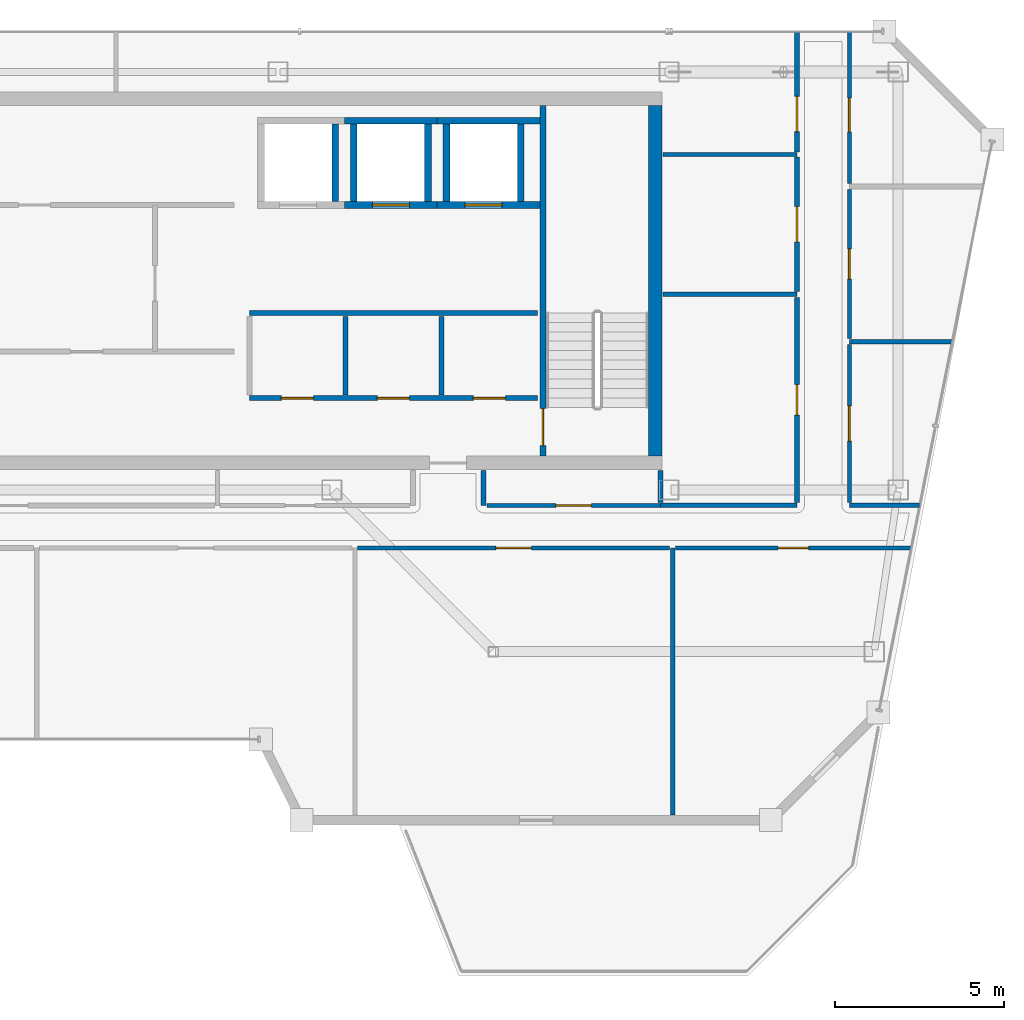
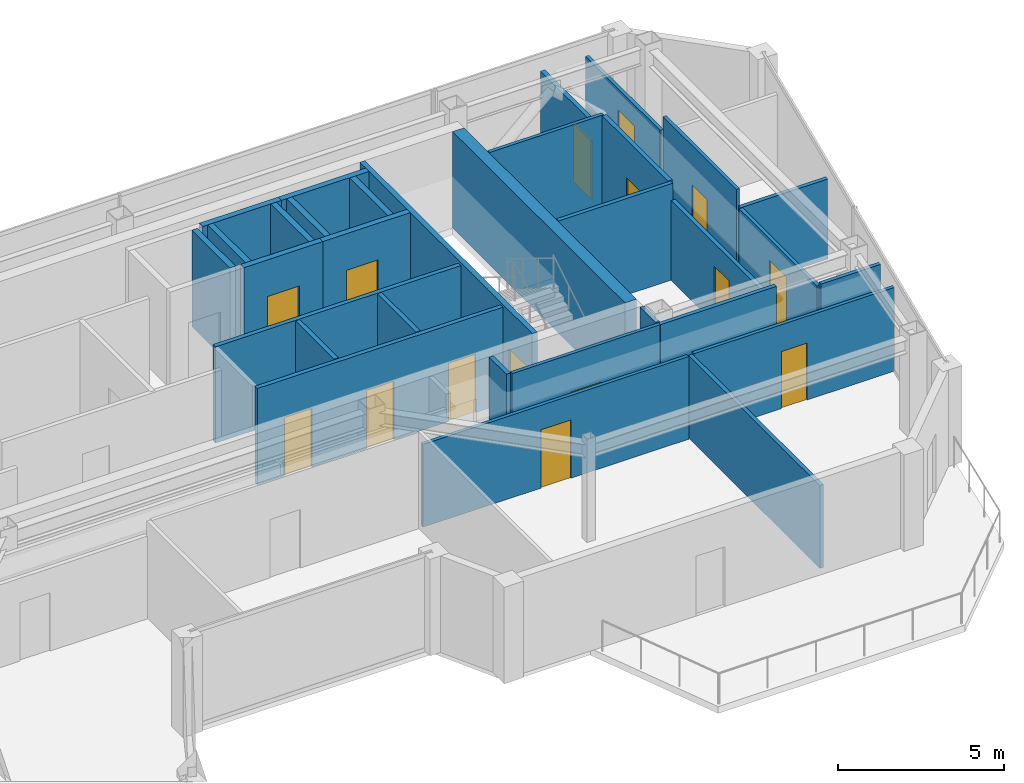
# One storey, part 16 of 20: 32 walls, 15 doors, 15 openings.
"""IFC4 building model written with IfcOpenShell, lengths in metres."""

from ifc_helpers import new_model, si_unit, direction, frame, frame_2d, origin, place, context, subcontext, project, spatial, rectangle, extrude, material, layer, layer_set, type_object, element, fill, save


model = new_model("IFC4")

# Units and contexts
model_context = context("Model", 3, precision=1e-05, world=origin(), true_north=direction((0.0, 1.0)))
body_context = subcontext(model_context, "Body", "Model", "MODEL_VIEW")
ifc_project = project(units=[si_unit("LENGTHUNIT", "METRE"), si_unit("AREAUNIT", "SQUARE_METRE"), si_unit("VOLUMEUNIT", "CUBIC_METRE"), si_unit("PLANEANGLEUNIT", "RADIAN"), si_unit("MASSUNIT", "GRAM", prefix="KILO")], contexts=[model_context])

# Site, building, storey
site_placement = place(None, origin())
site = spatial("IfcSite", under=ifc_project, at=site_placement, CompositionType="ELEMENT")
building_placement = place(site_placement, origin())
building = spatial("IfcBuilding", under=site, at=building_placement, Name="Saevonmaru Cultural Tower", CompositionType="ELEMENT")
storey_placement = place(building_placement, frame((0.0, 0.0, 295.199951171875)))
storey = spatial("IfcBuildingStorey", under=building, at=storey_placement, Name="L70", CompositionType="ELEMENT", Elevation=295.199951171875)

# Wall
ifc_material_1 = material(Name="Concrete C50/60", Category="concrete")
ifc_layer_1 = layer(ifc_material_1, 0.39990234375, Name="Concrete C50/60")
ifc_layer_set_1 = layer_set([ifc_layer_1], Name="Concrete C50/60")
wall_type_1 = type_object("IfcWallType", Name="WL-CORE-400", PredefinedType="SHEAR", material=ifc_layer_set_1)
wall_1_placement = place(storey_placement, frame((46.0, 43.39990234375, 0.0), z_axis=(0.0, 0.0, 1.0), x_axis=(0.0, 1.0, 0.0)))
element("IfcWall", 1, at=wall_1_placement, inside=storey, type_object=wall_type_1, Name="L70 Tower RC core shear wall E", PredefinedType="SHEAR", context=body_context, shape_type="SweptSolid", body=[
    extrude(rectangle(XDim=10.400146484375, YDim=0.39990234375, at=frame_2d((5.2001953125, 0.0))), origin(), (0.0, 0.0, 1.0), 3.550048828125),
])

# Wall, openings, doors
ifc_material_2 = material(Name="Gypsum Fireboard Partition", Category="gypsum")
ifc_layer_2 = layer(ifc_material_2, 0.14990234375, Name="Gypsum Fireboard Partition")
ifc_layer_set_2 = layer_set([ifc_layer_2], Name="Gypsum Fireboard Partition")
wall_type_2 = type_object("IfcWallType", Name="WL-CORE-PART-150", PredefinedType="PARTITIONING", material=ifc_layer_set_2)
wall_2_placement = place(storey_placement, frame((33.949951171875, 45.1201171875, 0.0), z_axis=(0.0, 0.0, 1.0), x_axis=(1.0, 0.0, 0.0)))
wall_2 = element("IfcWall", 2, at=wall_2_placement, inside=storey, type_object=wall_type_2, Name="L70 Core Utility South Wall", PredefinedType="PARTITIONING", context=body_context, shape_type="SweptSolid", body=[
    extrude(rectangle(XDim=8.550048828125, YDim=0.14990234375, at=frame_2d((4.27490234375, 0.0))), origin(), (0.0, 0.0, 1.0), 3.550048828125),
])
opening_1_placement = place(wall_2_placement, frame((0.949951171875, 0.0, 0.0)))
opening_1 = element("IfcOpeningElement", 3, at=opening_1_placement, cuts=wall_2, Name="Opening FD-4", PredefinedType="OPENING", context=body_context, shape_type="SweptSolid", body=[
    extrude(rectangle(XDim=0.949951171875, YDim=2.14990234375, at=frame_2d((0.47509765625, 1.074951171875))), frame((0.0, 0.0849609375, 0.0), z_axis=(0.0, -1.0, 0.0), x_axis=(1.0, 0.0, 0.0)), (0.0, 0.0, 1.0), 0.169921875),
])
opening_2_placement = place(wall_2_placement, frame((3.800048828125, 0.0, 0.0)))
opening_2 = element("IfcOpeningElement", 4, at=opening_2_placement, cuts=wall_2, Name="Opening FD-4", PredefinedType="OPENING", context=body_context, shape_type="SweptSolid", body=[
    extrude(rectangle(XDim=0.949951171875, YDim=2.14990234375, at=frame_2d((0.47509765625, 1.074951171875))), frame((0.0, 0.0849609375, 0.0), z_axis=(0.0, -1.0, 0.0), x_axis=(1.0, 0.0, 0.0)), (0.0, 0.0, 1.0), 0.169921875),
])
opening_3_placement = place(wall_2_placement, frame((6.64990234375, 0.0, 0.0)))
opening_3 = element("IfcOpeningElement", 5, at=opening_3_placement, cuts=wall_2, Name="Opening FD-4", PredefinedType="OPENING", context=body_context, shape_type="SweptSolid", body=[
    extrude(rectangle(XDim=0.949951171875, YDim=2.14990234375, at=frame_2d((0.47509765625, 1.074951171875))), frame((0.0, 0.0849609375, 0.0), z_axis=(0.0, -1.0, 0.0), x_axis=(1.0, 0.0, 0.0)), (0.0, 0.0, 1.0), 0.169921875),
])
ifc_material_3 = material(Name="Satin Bronze Anodised Aluminium", Category="aluminium")
door_type_1 = type_object("IfcDoorType", Name="DR-FD60-950", OperationType="SINGLE_SWING_LEFT", PredefinedType="DOOR", material=ifc_material_3)
door_1_placement = place(opening_1_placement, origin())
door_1 = element("IfcDoor", 6, at=door_1_placement, inside=storey, type_object=door_type_1, Name="L70 Meter Plant Door", OperationType="SINGLE_SWING_LEFT", OverallHeight=2.14990234375, OverallWidth=0.949951171875, PredefinedType="DOOR", context=body_context, shape_type="SweptSolid", body=[
    extrude(rectangle(XDim=0.949951171875, YDim=2.14990234375, at=frame_2d((0.47509765625, 1.074951171875))), frame((0.0, 0.02490234375, 0.0), z_axis=(0.0, -1.0, 0.0), x_axis=(1.0, 0.0, 0.0)), (0.0, 0.0, 1.0), 0.050048828125),
])
fill(opening_1, door_1)
door_2_placement = place(opening_2_placement, origin())
door_2 = element("IfcDoor", 7, at=door_2_placement, inside=storey, type_object=door_type_1, Name="L70 AV Rack Plant Door", OperationType="SINGLE_SWING_LEFT", OverallHeight=2.14990234375, OverallWidth=0.949951171875, PredefinedType="DOOR", context=body_context, shape_type="SweptSolid", body=[
    extrude(rectangle(XDim=0.949951171875, YDim=2.14990234375, at=frame_2d((0.47509765625, 1.074951171875))), frame((0.0, 0.02490234375, 0.0), z_axis=(0.0, -1.0, 0.0), x_axis=(1.0, 0.0, 0.0)), (0.0, 0.0, 1.0), 0.050048828125),
])
fill(opening_2, door_2)
door_3_placement = place(opening_3_placement, origin())
door_3 = element("IfcDoor", 8, at=door_3_placement, inside=storey, type_object=door_type_1, Name="L70 Archive Supply Storage Door", OperationType="SINGLE_SWING_LEFT", OverallHeight=2.14990234375, OverallWidth=0.949951171875, PredefinedType="DOOR", context=body_context, shape_type="SweptSolid", body=[
    extrude(rectangle(XDim=0.949951171875, YDim=2.14990234375, at=frame_2d((0.47509765625, 1.074951171875))), frame((0.0, 0.02490234375, 0.0), z_axis=(0.0, -1.0, 0.0), x_axis=(1.0, 0.0, 0.0)), (0.0, 0.0, 1.0), 0.050048828125),
])
fill(opening_3, door_3)

# Walls
wall_3_placement = place(storey_placement, frame((33.949951171875, 47.64990234375, 0.0), z_axis=(0.0, 0.0, 1.0), x_axis=(1.0, 0.0, 0.0)))
element("IfcWall", 9, at=wall_3_placement, inside=storey, type_object=wall_type_2, Name="L70 Core Utility North Wall", PredefinedType="PARTITIONING", context=body_context, shape_type="SweptSolid", body=[
    extrude(rectangle(XDim=8.550048828125, YDim=0.14990234375, at=frame_2d((4.27490234375, 0.0))), origin(), (0.0, 0.0, 1.0), 3.550048828125),
])
for number, where, z_axis, x_axis, name in (
    (10, (36.800048828125, 45.219970703125, 0.0), (0.0, 0.0, 1.0), (0.0, 1.0, 0.0), "L70 Utility Divider 1"),
    (11, (39.64990234375, 45.219970703125, 0.0), (0.0, 0.0, 1.0), (0.0, 1.0, 0.0), "L70 Utility Divider 2"),
):
    element("IfcWall", number, at=place(storey_placement, frame(where, z_axis=z_axis, x_axis=x_axis)), inside=storey, type_object=wall_type_2, Name=name, PredefinedType="PARTITIONING", context=body_context, shape_type="SweptSolid", body=[
        extrude(rectangle(XDim=2.330078125, YDim=0.14990234375, at=frame_2d((1.1650390625, 0.0))), origin(), (0.0, 0.0, 1.0), 3.550048828125),
    ])

# Wall, opening, door
ifc_layer_3 = layer(ifc_material_2, 0.14990234375, Name="Gypsum Fireboard Partition")
ifc_layer_set_3 = layer_set([ifc_layer_3], Name="Gypsum Fireboard Partition")
wall_type_3 = type_object("IfcWallType", Name="WL-PART-FIRE-150", PredefinedType="PARTITIONING", material=ifc_layer_set_3)
wall_4_placement = place(storey_placement, frame((50.199951171875, 48.2900390625, 0.0), z_axis=(0.0, 0.0, 1.0), x_axis=(0.0, 1.0, 0.0)))
wall_4 = element("IfcWall", 12, at=wall_4_placement, inside=storey, type_object=wall_type_3, Name="L70 Sky Observatory Gallery Corridor Wall", PredefinedType="PARTITIONING", context=body_context, shape_type="SweptSolid", body=[
    extrude(rectangle(XDim=3.97998046875, YDim=0.14990234375, at=frame_2d((1.989990234375, 0.0))), origin(), (0.0, 0.0, 1.0), 3.550048828125),
])
opening_4_placement = place(wall_4_placement, frame((1.465087890625, 0.0, 0.0)))
opening_4 = element("IfcOpeningElement", 13, at=opening_4_placement, cuts=wall_4, Name="Opening ID-1", PredefinedType="OPENING", context=body_context, shape_type="SweptSolid", body=[
    extrude(rectangle(XDim=1.050048828125, YDim=2.14990234375, at=frame_2d((0.52490234375, 1.074951171875))), frame((0.0, 0.0849609375, 0.0), z_axis=(0.0, -1.0, 0.0), x_axis=(1.0, 0.0, 0.0)), (0.0, 0.0, 1.0), 0.169921875),
])
door_type_2 = type_object("IfcDoorType", Name="DR-INT-1050", OperationType="SINGLE_SWING_LEFT", PredefinedType="DOOR", material=ifc_material_3)
door_4_placement = place(opening_4_placement, origin())
door_4 = element("IfcDoor", 14, at=door_4_placement, inside=storey, type_object=door_type_2, Name="L70 Sky Observatory Gallery Door", OperationType="SINGLE_SWING_LEFT", OverallHeight=2.14990234375, OverallWidth=1.050048828125, PredefinedType="DOOR", context=body_context, shape_type="SweptSolid", body=[
    extrude(rectangle(XDim=1.050048828125, YDim=2.14990234375, at=frame_2d((0.52490234375, 1.074951171875))), frame((0.0, 0.02490234375, 0.0), z_axis=(0.0, -1.0, 0.0), x_axis=(1.0, 0.0, 0.0)), (0.0, 0.0, 1.0), 0.050048828125),
])
fill(opening_4, door_4)

wall_5_placement = place(storey_placement, frame((50.199951171875, 52.429931640625, 0.0), z_axis=(0.0, 0.0, 1.0), x_axis=(0.0, 1.0, 0.0)))
wall_5 = element("IfcWall", 15, at=wall_5_placement, inside=storey, type_object=wall_type_3, Name="L70 Skyline Exhibition Gallery Corridor Wall", PredefinedType="PARTITIONING", context=body_context, shape_type="SweptSolid", body=[
    extrude(rectangle(XDim=3.565185546875, YDim=0.14990234375, at=frame_2d((1.78271484375, 0.0))), origin(), (0.0, 0.0, 1.0), 2.93505859375),
])
opening_5_placement = place(wall_5_placement, frame((0.596923828125, 0.0, 0.0)))
opening_5 = element("IfcOpeningElement", 16, at=opening_5_placement, cuts=wall_5, Name="Opening ID-1", PredefinedType="OPENING", context=body_context, shape_type="SweptSolid", body=[
    extrude(rectangle(XDim=1.050048828125, YDim=2.14990234375, at=frame_2d((0.52490234375, 1.074951171875))), frame((0.0, 0.0849609375, 0.0), z_axis=(0.0, -1.0, 0.0), x_axis=(1.0, 0.0, 0.0)), (0.0, 0.0, 1.0), 0.169921875),
])
door_5_placement = place(opening_5_placement, origin())
door_5 = element("IfcDoor", 17, at=door_5_placement, inside=storey, type_object=door_type_2, Name="L70 Skyline Exhibition Gallery Door", OperationType="SINGLE_SWING_RIGHT", OverallHeight=2.14990234375, OverallWidth=1.050048828125, PredefinedType="DOOR", context=body_context, shape_type="SweptSolid", body=[
    extrude(rectangle(XDim=1.050048828125, YDim=2.14990234375, at=frame_2d((0.52490234375, 1.074951171875))), frame((0.0, 0.02490234375, 0.0), z_axis=(0.0, -1.0, 0.0), x_axis=(1.0, 0.0, 0.0)), (0.0, 0.0, 1.0), 0.050048828125),
])
fill(opening_5, door_5)

# Walls
wall_6_placement = place(storey_placement, frame((40.89990234375, 41.93994140625, 0.0), z_axis=(0.0, 0.0, 1.0), x_axis=(0.0, 1.0, 0.0)))
element("IfcWall", 18, at=wall_6_placement, inside=storey, type_object=wall_type_3, Name="L70 Core Portal Side Wall E2", PredefinedType="PARTITIONING", context=body_context, shape_type="SweptSolid", body=[
    extrude(rectangle(XDim=1.0400390625, YDim=0.14990234375, at=frame_2d((0.52001953125, 0.0))), origin(), (0.0, 0.0, 1.0), 3.550048828125),
])
ifc_layer_4 = layer(ifc_material_2, 0.1201171875, Name="Gypsum Fireboard Partition")
ifc_layer_set_4 = layer_set([ifc_layer_4], Name="Gypsum Fireboard Partition")
wall_type_4 = type_object("IfcWallType", Name="WL-PART-GYP-120", PredefinedType="PARTITIONING", material=ifc_layer_set_4)
wall_7_placement = place(storey_placement, frame((46.219970703125, 52.35009765625, 0.0), z_axis=(0.0, 0.0, 1.0), x_axis=(1.0, 0.0, 0.0)))
element("IfcWall", 19, at=wall_7_placement, inside=storey, type_object=wall_type_4, Name="L70 North-East Panorama South Wall", PredefinedType="PARTITIONING", context=body_context, shape_type="SweptSolid", body=[
    extrude(rectangle(XDim=3.97998046875, YDim=0.1201171875, at=frame_2d((1.989990234375, 0.0))), origin(), (0.0, 0.0, 1.0), 3.550048828125),
])

# Wall, opening, door
wall_8_placement = place(storey_placement, frame((51.75, 42.027587890625, 0.0), z_axis=(0.0, 0.0, 1.0), x_axis=(0.0, 1.0, 0.0)))
wall_8 = element("IfcWall", 20, at=wall_8_placement, inside=storey, type_object=wall_type_4, Name="L70 Periodical Reading Room Corridor Wall", PredefinedType="PARTITIONING", context=body_context, shape_type="SweptSolid", body=[
    extrude(rectangle(XDim=4.684814453125, YDim=0.1201171875, at=frame_2d((2.34228515625, 0.0))), origin(), (0.0, 0.0, 1.0), 2.947021484375),
])
opening_6_placement = place(wall_8_placement, frame((1.81689453125, 0.0, 0.0)))
opening_6 = element("IfcOpeningElement", 21, at=opening_6_placement, cuts=wall_8, Name="Opening ID-1", PredefinedType="OPENING", context=body_context, shape_type="SweptSolid", body=[
    extrude(rectangle(XDim=1.050048828125, YDim=2.14990234375, at=frame_2d((0.52490234375, 1.074951171875))), frame((0.0, 0.070068359375, 0.0), z_axis=(0.0, -1.0, 0.0), x_axis=(1.0, 0.0, 0.0)), (0.0, 0.0, 1.0), 0.14013671875),
])
door_6_placement = place(opening_6_placement, origin())
door_6 = element("IfcDoor", 22, at=door_6_placement, inside=storey, type_object=door_type_2, Name="L70 Periodical Reading Room Door", OperationType="SINGLE_SWING_LEFT", OverallHeight=2.14990234375, OverallWidth=1.050048828125, PredefinedType="DOOR", context=body_context, shape_type="SweptSolid", body=[
    extrude(rectangle(XDim=1.050048828125, YDim=2.14990234375, at=frame_2d((0.52490234375, 1.074951171875))), frame((0.0, 0.02490234375, 0.0), z_axis=(0.0, -1.0, 0.0), x_axis=(1.0, 0.0, 0.0)), (0.0, 0.0, 1.0), 0.050048828125),
])
fill(opening_6, door_6)

wall_9_placement = place(storey_placement, frame((51.75, 46.887451171875, 0.0), z_axis=(0.0, 0.0, 1.0), x_axis=(0.0, 1.0, 0.0)))
wall_9 = element("IfcWall", 23, at=wall_9_placement, inside=storey, type_object=wall_type_4, Name="L70 Editorial Fellows Office Corridor Wall", PredefinedType="PARTITIONING", context=body_context, shape_type="SweptSolid", body=[
    extrude(rectangle(XDim=4.425048828125, YDim=0.1201171875, at=frame_2d((2.21240234375, 0.0))), origin(), (0.0, 0.0, 1.0), 3.550048828125),
])
opening_7_placement = place(wall_9_placement, frame((1.761962890625, 0.0, 0.0)))
opening_7 = element("IfcOpeningElement", 24, at=opening_7_placement, cuts=wall_9, Name="Opening ID-2", PredefinedType="OPENING", context=body_context, shape_type="SweptSolid", body=[
    extrude(rectangle(XDim=0.89990234375, YDim=2.10009765625, at=frame_2d((0.449951171875, 1.050048828125))), frame((0.0, 0.070068359375, 0.0), z_axis=(0.0, -1.0, 0.0), x_axis=(1.0, 0.0, 0.0)), (0.0, 0.0, 1.0), 0.14013671875),
])
ifc_material_4 = material(Name="Acoustic Stained Oak Timber", Category="wood")
door_type_3 = type_object("IfcDoorType", Name="DR-INT-900", OperationType="SINGLE_SWING_RIGHT", PredefinedType="DOOR", material=ifc_material_4)
door_7_placement = place(opening_7_placement, origin())
door_7 = element("IfcDoor", 25, at=door_7_placement, inside=storey, type_object=door_type_3, Name="L70 Editorial Fellows Office Door", OperationType="SINGLE_SWING_RIGHT", OverallHeight=2.10009765625, OverallWidth=0.89990234375, PredefinedType="DOOR", context=body_context, shape_type="SweptSolid", body=[
    extrude(rectangle(XDim=0.89990234375, YDim=2.10009765625, at=frame_2d((0.449951171875, 1.050048828125))), frame((0.0, 0.02490234375, 0.0), z_axis=(0.0, -1.0, 0.0), x_axis=(1.0, 0.0, 0.0)), (0.0, 0.0, 1.0), 0.050048828125),
])
fill(opening_7, door_7)

wall_10_placement = place(storey_placement, frame((51.75, 51.487548828125, 0.0), z_axis=(0.0, 0.0, 1.0), x_axis=(0.0, 1.0, 0.0)))
wall_10 = element("IfcWall", 26, at=wall_10_placement, inside=storey, type_object=wall_type_4, Name="L70 Terrace Overlook Cafe Corridor Wall", PredefinedType="PARTITIONING", context=body_context, shape_type="SweptSolid", body=[
    extrude(rectangle(XDim=4.507568359375, YDim=0.1201171875, at=frame_2d((2.25390625, 0.0))), origin(), (0.0, 0.0, 1.0), 2.93505859375),
])
opening_8_placement = place(wall_10_placement, frame((1.533935546875, 0.0, 0.0)))
opening_8 = element("IfcOpeningElement", 27, at=opening_8_placement, cuts=wall_10, Name="Opening ID-1B", PredefinedType="OPENING", context=body_context, shape_type="SweptSolid", body=[
    extrude(rectangle(XDim=1.0, YDim=2.14990234375, at=frame_2d((0.5, 1.074951171875))), frame((0.0, 0.070068359375, 0.0), z_axis=(0.0, -1.0, 0.0), x_axis=(1.0, 0.0, 0.0)), (0.0, 0.0, 1.0), 0.14013671875),
])
door_type_4 = type_object("IfcDoorType", Name="DR-INT-1000", OperationType="SINGLE_SWING_RIGHT", PredefinedType="DOOR", material=ifc_material_4)
door_8_placement = place(opening_8_placement, origin())
door_8 = element("IfcDoor", 28, at=door_8_placement, inside=storey, type_object=door_type_4, Name="L70 Terrace Overlook Cafe Door", OperationType="SINGLE_SWING_LEFT", OverallHeight=2.14990234375, OverallWidth=1.0, PredefinedType="DOOR", context=body_context, shape_type="SweptSolid", body=[
    extrude(rectangle(XDim=1.0, YDim=2.14990234375, at=frame_2d((0.5, 1.074951171875))), frame((0.0, 0.02490234375, 0.0), z_axis=(0.0, -1.0, 0.0), x_axis=(1.0, 0.0, 0.0)), (0.0, 0.0, 1.0), 0.050048828125),
])
fill(opening_8, door_8)

wall_11_placement = place(storey_placement, frame((40.9951171875, 41.93994140625, 0.0), z_axis=(0.0, 0.0, 1.0), x_axis=(1.0, 0.0, 0.0)))
wall_11 = element("IfcWall", 29, at=wall_11_placement, inside=storey, type_object=wall_type_4, Name="L70 Rare Manuscript Reading Room Corridor Wall", PredefinedType="PARTITIONING", context=body_context, shape_type="SweptSolid", body=[
    extrude(rectangle(XDim=5.15478515625, YDim=0.1201171875, at=frame_2d((2.577392578125, 0.0))), origin(), (0.0, 0.0, 1.0), 3.550048828125),
])
opening_9_placement = place(wall_11_placement, frame((2.052978515625, 0.0, 0.0)))
opening_9 = element("IfcOpeningElement", 30, at=opening_9_placement, cuts=wall_11, Name="Opening ID-1", PredefinedType="OPENING", context=body_context, shape_type="SweptSolid", body=[
    extrude(rectangle(XDim=1.050048828125, YDim=2.14990234375, at=frame_2d((0.52490234375, 1.074951171875))), frame((0.0, 0.070068359375, 0.0), z_axis=(0.0, -1.0, 0.0), x_axis=(1.0, 0.0, 0.0)), (0.0, 0.0, 1.0), 0.14013671875),
])
door_9_placement = place(opening_9_placement, origin())
door_9 = element("IfcDoor", 31, at=door_9_placement, inside=storey, type_object=door_type_2, Name="L70 Rare Manuscript Reading Room Door", OperationType="SINGLE_SWING_LEFT", OverallHeight=2.14990234375, OverallWidth=1.050048828125, PredefinedType="DOOR", context=body_context, shape_type="SweptSolid", body=[
    extrude(rectangle(XDim=1.050048828125, YDim=2.14990234375, at=frame_2d((0.52490234375, 1.074951171875))), frame((0.0, 0.02490234375, 0.0), z_axis=(0.0, -1.0, 0.0), x_axis=(1.0, 0.0, 0.0)), (0.0, 0.0, 1.0), 0.050048828125),
])
fill(opening_9, door_9)

wall_12_placement = place(storey_placement, frame((37.159912109375, 40.679931640625, 0.0), z_axis=(0.0, 0.0, 1.0), x_axis=(1.0, 0.0, 0.0)))
wall_12 = element("IfcWall", 32, at=wall_12_placement, inside=storey, type_object=wall_type_4, Name="L70 Periodical Reading Room Corridor Wall", PredefinedType="PARTITIONING", context=body_context, shape_type="SweptSolid", body=[
    extrude(rectangle(XDim=9.2626953125, YDim=0.1201171875, at=frame_2d((4.63134765625, 0.0))), origin(), (0.0, 0.0, 1.0), 3.047119140625),
])
opening_10_placement = place(wall_12_placement, frame((4.10595703125, 0.0, 0.0)))
opening_10 = element("IfcOpeningElement", 33, at=opening_10_placement, cuts=wall_12, Name="Opening ID-1", PredefinedType="OPENING", context=body_context, shape_type="SweptSolid", body=[
    extrude(rectangle(XDim=1.050048828125, YDim=2.14990234375, at=frame_2d((0.52490234375, 1.074951171875))), frame((0.0, 0.070068359375, 0.0), z_axis=(0.0, -1.0, 0.0), x_axis=(1.0, 0.0, 0.0)), (0.0, 0.0, 1.0), 0.14013671875),
])
door_10_placement = place(opening_10_placement, origin())
door_10 = element("IfcDoor", 34, at=door_10_placement, inside=storey, type_object=door_type_2, Name="L70 Periodical Reading Room Door", OperationType="SINGLE_SWING_LEFT", OverallHeight=2.14990234375, OverallWidth=1.050048828125, PredefinedType="DOOR", context=body_context, shape_type="SweptSolid", body=[
    extrude(rectangle(XDim=1.050048828125, YDim=2.14990234375, at=frame_2d((0.52490234375, 1.074951171875))), frame((0.0, 0.02490234375, 0.0), z_axis=(0.0, -1.0, 0.0), x_axis=(1.0, 0.0, 0.0)), (0.0, 0.0, 1.0), 0.050048828125),
])
fill(opening_10, door_10)

wall_13_placement = place(storey_placement, frame((46.597412109375, 40.679931640625, 0.0), z_axis=(0.0, 0.0, 1.0), x_axis=(1.0, 0.0, 0.0)))
wall_13 = element("IfcWall", 35, at=wall_13_placement, inside=storey, type_object=wall_type_4, Name="L70 Editorial Fellows Office Corridor Wall", PredefinedType="PARTITIONING", context=body_context, shape_type="SweptSolid", body=[
    extrude(rectangle(XDim=6.98779296875, YDim=0.1201171875, at=frame_2d((3.493896484375, 0.0))), origin(), (0.0, 0.0, 1.0), 3.0849609375),
])
opening_11_placement = place(wall_13_placement, frame((3.0439453125, 0.0, 0.0)))
opening_11 = element("IfcOpeningElement", 36, at=opening_11_placement, cuts=wall_13, Name="Opening ID-2", PredefinedType="OPENING", context=body_context, shape_type="SweptSolid", body=[
    extrude(rectangle(XDim=0.89990234375, YDim=2.10009765625, at=frame_2d((0.449951171875, 1.050048828125))), frame((0.0, 0.070068359375, 0.0), z_axis=(0.0, -1.0, 0.0), x_axis=(1.0, 0.0, 0.0)), (0.0, 0.0, 1.0), 0.14013671875),
])
door_11_placement = place(opening_11_placement, origin())
door_11 = element("IfcDoor", 37, at=door_11_placement, inside=storey, type_object=door_type_3, Name="L70 Editorial Fellows Office Door", OperationType="SINGLE_SWING_RIGHT", OverallHeight=2.10009765625, OverallWidth=0.89990234375, PredefinedType="DOOR", context=body_context, shape_type="SweptSolid", body=[
    extrude(rectangle(XDim=0.89990234375, YDim=2.10009765625, at=frame_2d((0.449951171875, 1.050048828125))), frame((0.0, 0.02490234375, 0.0), z_axis=(0.0, -1.0, 0.0), x_axis=(1.0, 0.0, 0.0)), (0.0, 0.0, 1.0), 0.050048828125),
])
fill(opening_11, door_11)

# Walls
ifc_layer_5 = layer(ifc_material_2, 0.135009765625, Name="Gypsum Fireboard Partition")
ifc_layer_set_5 = layer_set([ifc_layer_5], Name="Gypsum Fireboard Partition")
wall_type_5 = type_object("IfcWallType", Name="WL-PART-GYP-135", PredefinedType="PARTITIONING", material=ifc_layer_set_5)
wall_14_placement = place(storey_placement, frame((51.75, 41.93994140625, 0.0), z_axis=(0.0, 0.0, 1.0), x_axis=(1.0, 0.0, 0.0)))
element("IfcWall", 38, at=wall_14_placement, inside=storey, type_object=wall_type_5, Name="L70 NE Wing South Wall", PredefinedType="PARTITIONING", context=body_context, shape_type="SweptSolid", body=[
    extrude(rectangle(XDim=2.085693359375, YDim=0.135009765625, at=frame_2d((1.04296875, 0.0))), origin(), (0.0, 0.0, 1.0), 3.0849609375),
])
wall_15_placement = place(storey_placement, frame((51.75, 46.800048828125, 0.0), z_axis=(0.0, 0.0, 1.0), x_axis=(1.0, 0.0, 0.0)))
element("IfcWall", 39, at=wall_15_placement, inside=storey, type_object=wall_type_5, Name="L70 NE Studio Divider 1", PredefinedType="PARTITIONING", context=body_context, shape_type="SweptSolid", body=[
    extrude(rectangle(XDim=3.052001953125, YDim=0.135009765625, at=frame_2d((1.52587890625, 0.0))), origin(), (0.0, 0.0, 1.0), 2.947021484375),
])
wall_16_placement = place(storey_placement, frame((46.510009765625, 32.760009765625, 0.0), z_axis=(0.0, 0.0, 1.0), x_axis=(0.0, 1.0, 0.0)))
element("IfcWall", 40, at=wall_16_placement, inside=storey, type_object=wall_type_5, Name="L70 Observatory Bay Divider 4", PredefinedType="PARTITIONING", context=body_context, shape_type="SweptSolid", body=[
    extrude(rectangle(XDim=7.919921875, YDim=0.135009765625, at=frame_2d((3.9599609375, 0.0))), origin(), (0.0, 0.0, 1.0), 3.047119140625),
])
ifc_layer_6 = layer(ifc_material_2, 0.139892578125, Name="Gypsum Fireboard Partition")
ifc_layer_set_6 = layer_set([ifc_layer_6], Name="Gypsum Fireboard Partition")
wall_type_6 = type_object("IfcWallType", Name="WL-PART-WET-140", PredefinedType="PARTITIONING", material=ifc_layer_set_6)
wall_17_placement = place(storey_placement, frame((46.14990234375, 41.93994140625, 0.0), z_axis=(0.0, 0.0, 1.0), x_axis=(1.0, 0.0, 0.0)))
element("IfcWall", 41, at=wall_17_placement, inside=storey, type_object=wall_type_6, Name="L70 Washroom South Wall", PredefinedType="PARTITIONING", context=body_context, shape_type="SweptSolid", body=[
    extrude(rectangle(XDim=4.050048828125, YDim=0.139892578125, at=frame_2d((2.02490234375, 0.0))), origin(), (0.0, 0.0, 1.0), 3.550048828125),
])
wall_18_placement = place(storey_placement, frame((46.14990234375, 42.030029296875, 0.0), z_axis=(0.0, 0.0, 1.0), x_axis=(0.0, 1.0, 0.0)))
element("IfcWall", 42, at=wall_18_placement, inside=storey, type_object=wall_type_6, Name="L70 Washroom South-West Return", PredefinedType="PARTITIONING", context=body_context, shape_type="SweptSolid", body=[
    extrude(rectangle(XDim=0.949951171875, YDim=0.139892578125, at=frame_2d((0.47509765625, 0.0))), origin(), (0.0, 0.0, 1.0), 3.550048828125),
])
wall_19_placement = place(storey_placement, frame((46.219970703125, 48.199951171875, 0.0), z_axis=(0.0, 0.0, 1.0), x_axis=(1.0, 0.0, 0.0)))
element("IfcWall", 43, at=wall_19_placement, inside=storey, type_object=wall_type_6, Name="L70 Washroom North Wall", PredefinedType="PARTITIONING", context=body_context, shape_type="SweptSolid", body=[
    extrude(rectangle(XDim=3.97998046875, YDim=0.139892578125, at=frame_2d((1.989990234375, 0.0))), origin(), (0.0, 0.0, 1.0), 3.550048828125),
])

# Wall, opening, door
wall_20_placement = place(storey_placement, frame((50.199951171875, 42.030029296875, 0.0), z_axis=(0.0, 0.0, 1.0), x_axis=(0.0, 1.0, 0.0)))
wall_20 = element("IfcWall", 44, at=wall_20_placement, inside=storey, type_object=wall_type_6, Name="L70 Washroom Corridor Wall", PredefinedType="PARTITIONING", context=body_context, shape_type="SweptSolid", body=[
    extrude(rectangle(XDim=6.080078125, YDim=0.139892578125, at=frame_2d((3.0400390625, 0.0))), origin(), (0.0, 0.0, 1.0), 2.947021484375),
])
opening_12_placement = place(wall_20_placement, frame((2.590087890625, 0.0, 0.0)))
opening_12 = element("IfcOpeningElement", 45, at=opening_12_placement, cuts=wall_20, Name="Opening ID-2", PredefinedType="OPENING", context=body_context, shape_type="SweptSolid", body=[
    extrude(rectangle(XDim=0.89990234375, YDim=2.10009765625, at=frame_2d((0.449951171875, 1.050048828125))), frame((0.0, 0.080078125, 0.0), z_axis=(0.0, -1.0, 0.0), x_axis=(1.0, 0.0, 0.0)), (0.0, 0.0, 1.0), 0.159912109375),
])
door_12_placement = place(opening_12_placement, origin())
door_12 = element("IfcDoor", 46, at=door_12_placement, inside=storey, type_object=door_type_3, Name="L70 Public Accessible Washrooms Door", OperationType="SINGLE_SWING_RIGHT", OverallHeight=2.10009765625, OverallWidth=0.89990234375, PredefinedType="DOOR", context=body_context, shape_type="SweptSolid", body=[
    extrude(rectangle(XDim=0.89990234375, YDim=2.10009765625, at=frame_2d((0.449951171875, 1.050048828125))), frame((0.0, 0.02490234375, 0.0), z_axis=(0.0, -1.0, 0.0), x_axis=(1.0, 0.0, 0.0)), (0.0, 0.0, 1.0), 0.050048828125),
])
fill(opening_12, door_12)

# Wall
ifc_material_5 = material(Name="Concrete C40/50", Category="concrete")
ifc_layer_7 = layer(ifc_material_5, 0.199951171875, Name="Concrete C40/50")
ifc_layer_set_7 = layer_set([ifc_layer_7], Name="Concrete C40/50")
wall_type_7 = type_object("IfcWallType", Name="WL-SHAFT-200", PredefinedType="SHEAR", material=ifc_layer_set_7)
wall_21_placement = place(storey_placement, frame((36.5, 50.949951171875, 0.0), z_axis=(0.0, 0.0, 1.0), x_axis=(0.0, 1.0, 0.0)))
element("IfcWall", 47, at=wall_21_placement, inside=storey, type_object=wall_type_7, Name="L70 Lift PL-H1 Hoistway Wall E", PredefinedType="SHEAR", context=body_context, shape_type="SweptSolid", body=[
    extrude(rectangle(XDim=2.300048828125, YDim=0.199951171875, at=frame_2d((1.14990234375, 0.0))), origin(), (0.0, 0.0, 1.0), 3.550048828125),
])

# Wall, opening, door
wall_22_placement = place(storey_placement, frame((36.77490234375, 50.85009765625, 0.0), z_axis=(0.0, 0.0, 1.0), x_axis=(1.0, 0.0, 0.0)))
wall_22 = element("IfcWall", 48, at=wall_22_placement, inside=storey, type_object=wall_type_7, Name="L70 Lift PL-H2 Hoistway Wall S", PredefinedType="SHEAR", context=body_context, shape_type="SweptSolid", body=[
    extrude(rectangle(XDim=2.75, YDim=0.199951171875, at=frame_2d((1.375, 0.0))), origin(), (0.0, 0.0, 1.0), 3.550048828125),
])
opening_13_placement = place(wall_22_placement, frame((0.824951171875, 0.0, 0.0)))
opening_13 = element("IfcOpeningElement", 49, at=opening_13_placement, cuts=wall_22, Name="Opening LD-1", PredefinedType="OPENING", context=body_context, shape_type="SweptSolid", body=[
    extrude(rectangle(XDim=1.10009765625, YDim=2.199951171875, at=frame_2d((0.550048828125, 1.10009765625))), frame((0.0, 0.10986328125, 0.0), z_axis=(0.0, -1.0, 0.0), x_axis=(1.0, 0.0, 0.0)), (0.0, 0.0, 1.0), 0.219970703125),
])
ifc_material_6 = material(Name="Satin Bronze Stainless Steel", Category="steel")
door_type_5 = type_object("IfcDoorType", Name="DR-LIFT-1100", OperationType="SLIDING_TO_LEFT", PredefinedType="DOOR", material=ifc_material_6)
door_13_placement = place(opening_13_placement, origin())
door_13 = element("IfcDoor", 50, at=door_13_placement, inside=storey, type_object=door_type_5, Name="L70 Lift PL-H2 Sliding Landing Door", OperationType="SLIDING_TO_LEFT", OverallHeight=2.199951171875, OverallWidth=1.10009765625, PredefinedType="DOOR", context=body_context, shape_type="SweptSolid", body=[
    extrude(rectangle(XDim=1.10009765625, YDim=2.199951171875, at=frame_2d((0.550048828125, 1.10009765625))), frame((0.0, 0.02490234375, 0.0), z_axis=(0.0, -1.0, 0.0), x_axis=(1.0, 0.0, 0.0)), (0.0, 0.0, 1.0), 0.050048828125),
])
fill(opening_13, door_13)

# Walls
wall_23_placement = place(storey_placement, frame((36.77490234375, 53.35009765625, 0.0), z_axis=(0.0, 0.0, 1.0), x_axis=(1.0, 0.0, 0.0)))
element("IfcWall", 51, at=wall_23_placement, inside=storey, type_object=wall_type_7, Name="L70 Lift PL-H2 Hoistway Wall N", PredefinedType="SHEAR", context=body_context, shape_type="SweptSolid", body=[
    extrude(rectangle(XDim=2.75, YDim=0.199951171875, at=frame_2d((1.375, 0.0))), origin(), (0.0, 0.0, 1.0), 3.550048828125),
])
for number, where, z_axis, x_axis, name in (
    (52, (37.050048828125, 50.949951171875, 0.0), (0.0, 0.0, 1.0), (0.0, 1.0, 0.0), "L70 Lift PL-H2 Hoistway Wall W"),
    (53, (39.25, 50.949951171875, 0.0), (0.0, 0.0, 1.0), (0.0, 1.0, 0.0), "L70 Lift PL-H2 Hoistway Wall E"),
):
    element("IfcWall", number, at=place(storey_placement, frame(where, z_axis=z_axis, x_axis=x_axis)), inside=storey, type_object=wall_type_7, Name=name, PredefinedType="SHEAR", context=body_context, shape_type="SweptSolid", body=[
        extrude(rectangle(XDim=2.300048828125, YDim=0.199951171875, at=frame_2d((1.14990234375, 0.0))), origin(), (0.0, 0.0, 1.0), 3.550048828125),
    ])

# Wall, opening, door
wall_24_placement = place(storey_placement, frame((39.52490234375, 50.85009765625, 0.0), z_axis=(0.0, 0.0, 1.0), x_axis=(1.0, 0.0, 0.0)))
wall_24 = element("IfcWall", 54, at=wall_24_placement, inside=storey, type_object=wall_type_7, Name="L70 Lift PL-H3 Hoistway Wall S", PredefinedType="SHEAR", context=body_context, shape_type="SweptSolid", body=[
    extrude(rectangle(XDim=3.045166015625, YDim=0.199951171875, at=frame_2d((1.5224609375, 0.0))), origin(), (0.0, 0.0, 1.0), 3.550048828125),
])
opening_14_placement = place(wall_24_placement, frame((0.824951171875, 0.0, 0.0)))
opening_14 = element("IfcOpeningElement", 55, at=opening_14_placement, cuts=wall_24, Name="Opening LD-1", PredefinedType="OPENING", context=body_context, shape_type="SweptSolid", body=[
    extrude(rectangle(XDim=1.10009765625, YDim=2.199951171875, at=frame_2d((0.550048828125, 1.10009765625))), frame((0.0, 0.10986328125, 0.0), z_axis=(0.0, -1.0, 0.0), x_axis=(1.0, 0.0, 0.0)), (0.0, 0.0, 1.0), 0.219970703125),
])
door_14_placement = place(opening_14_placement, origin())
door_14 = element("IfcDoor", 56, at=door_14_placement, inside=storey, type_object=door_type_5, Name="L70 Lift PL-H3 Sliding Landing Door", OperationType="SLIDING_TO_LEFT", OverallHeight=2.199951171875, OverallWidth=1.10009765625, PredefinedType="DOOR", context=body_context, shape_type="SweptSolid", body=[
    extrude(rectangle(XDim=1.10009765625, YDim=2.199951171875, at=frame_2d((0.550048828125, 1.10009765625))), frame((0.0, 0.02490234375, 0.0), z_axis=(0.0, -1.0, 0.0), x_axis=(1.0, 0.0, 0.0)), (0.0, 0.0, 1.0), 0.050048828125),
])
fill(opening_14, door_14)

# Walls
wall_25_placement = place(storey_placement, frame((39.52490234375, 53.35009765625, 0.0), z_axis=(0.0, 0.0, 1.0), x_axis=(1.0, 0.0, 0.0)))
element("IfcWall", 57, at=wall_25_placement, inside=storey, type_object=wall_type_7, Name="L70 Lift PL-H3 Hoistway Wall N", PredefinedType="SHEAR", context=body_context, shape_type="SweptSolid", body=[
    extrude(rectangle(XDim=3.045166015625, YDim=0.199951171875, at=frame_2d((1.5224609375, 0.0))), origin(), (0.0, 0.0, 1.0), 3.550048828125),
])
for number, where, z_axis, x_axis, name in (
    (58, (39.800048828125, 50.949951171875, 0.0), (0.0, 0.0, 1.0), (0.0, 1.0, 0.0), "L70 Lift PL-H3 Hoistway Wall W"),
    (59, (42.0, 50.949951171875, 0.0), (0.0, 0.0, 1.0), (0.0, 1.0, 0.0), "L70 Lift PL-H3 Hoistway Wall E"),
):
    element("IfcWall", number, at=place(storey_placement, frame(where, z_axis=z_axis, x_axis=x_axis)), inside=storey, type_object=wall_type_7, Name=name, PredefinedType="SHEAR", context=body_context, shape_type="SweptSolid", body=[
        extrude(rectangle(XDim=2.300048828125, YDim=0.199951171875, at=frame_2d((1.14990234375, 0.0))), origin(), (0.0, 0.0, 1.0), 3.550048828125),
    ])

# Wall, opening, door
ifc_layer_8 = layer(ifc_material_5, 0.179931640625, Name="Concrete C40/50")
ifc_layer_set_8 = layer_set([ifc_layer_8], Name="Concrete C40/50")
wall_type_8 = type_object("IfcWallType", Name="WL-STSHAFT-180", PredefinedType="SHEAR", material=ifc_layer_set_8)
wall_26_placement = place(storey_placement, frame((42.659912109375, 53.800048828125, 0.0), z_axis=(0.0, 0.0, 1.0), x_axis=(0.0, -1.0, 0.0)))
wall_26 = element("IfcWall", 60, at=wall_26_placement, inside=storey, type_object=wall_type_8, Name="L70 Stair ST-2 Structural Shaft Wall 1", PredefinedType="SHEAR", context=body_context, shape_type="SweptSolid", body=[
    extrude(rectangle(XDim=10.400146484375, YDim=0.179931640625, at=frame_2d((5.2001953125, 0.0))), origin(), (0.0, 0.0, 1.0), 3.550048828125),
])
opening_15_placement = place(wall_26_placement, frame((8.989990234375, 0.0, 0.0)))
opening_15 = element("IfcOpeningElement", 61, at=opening_15_placement, cuts=wall_26, Name="Opening FD-2", PredefinedType="OPENING", context=body_context, shape_type="SweptSolid", body=[
    extrude(rectangle(XDim=1.10009765625, YDim=2.14990234375, at=frame_2d((0.550048828125, 1.074951171875))), frame((0.0, 0.10009765625, 0.0), z_axis=(0.0, -1.0, 0.0), x_axis=(1.0, 0.0, 0.0)), (0.0, 0.0, 1.0), 0.199951171875),
])
door_type_6 = type_object("IfcDoorType", Name="DR-FD60-1100", OperationType="SINGLE_SWING_LEFT", PredefinedType="DOOR", material=ifc_material_3)
door_15_placement = place(opening_15_placement, origin())
door_15 = element("IfcDoor", 62, at=door_15_placement, inside=storey, type_object=door_type_6, Name="L70 Protected Stair ST-2 Fire Door", OperationType="SINGLE_SWING_LEFT", OverallHeight=2.14990234375, OverallWidth=1.10009765625, PredefinedType="DOOR", context=body_context, shape_type="SweptSolid", body=[
    extrude(rectangle(XDim=1.10009765625, YDim=2.14990234375, at=frame_2d((0.550048828125, 1.074951171875))), frame((0.0, 0.02490234375, 0.0), z_axis=(0.0, -1.0, 0.0), x_axis=(1.0, 0.0, 0.0)), (0.0, 0.0, 1.0), 0.050048828125),
])
fill(opening_15, door_15)

save(model, "model.ifc")
